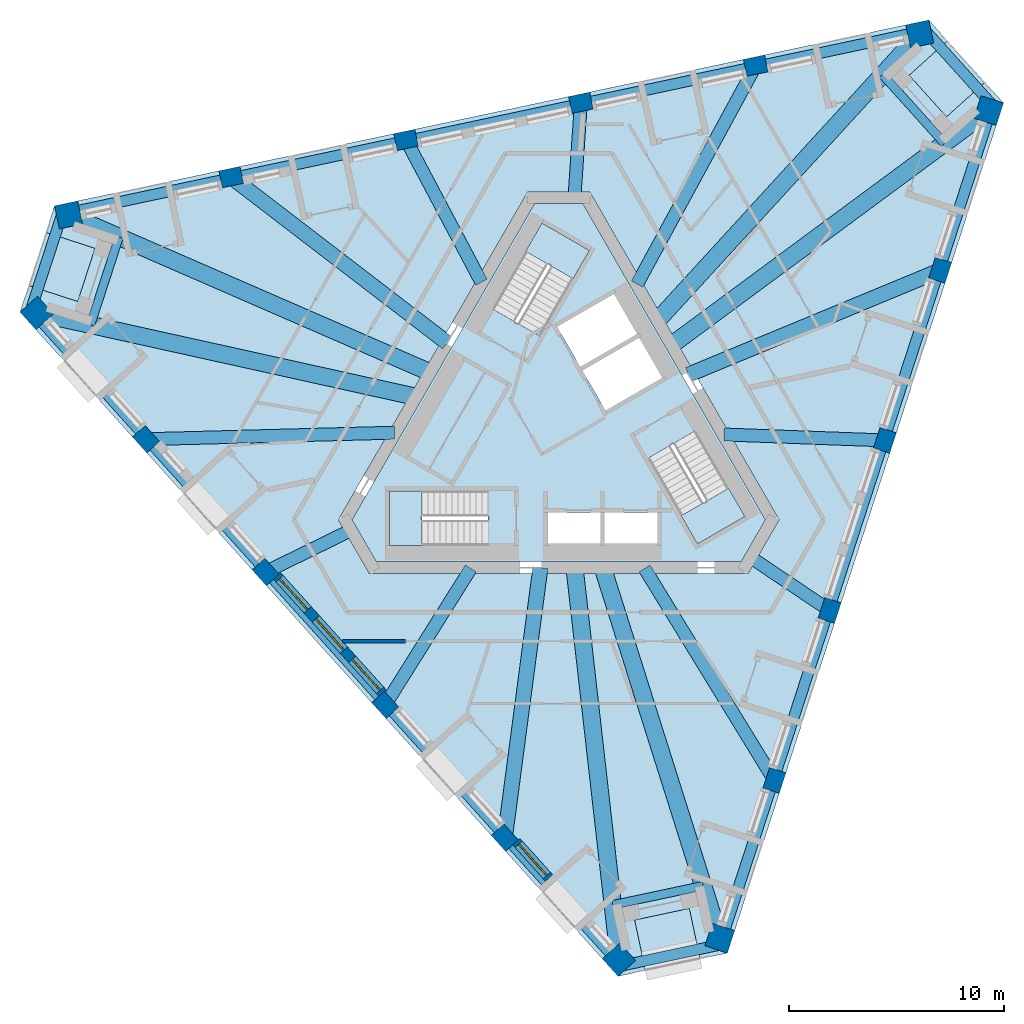
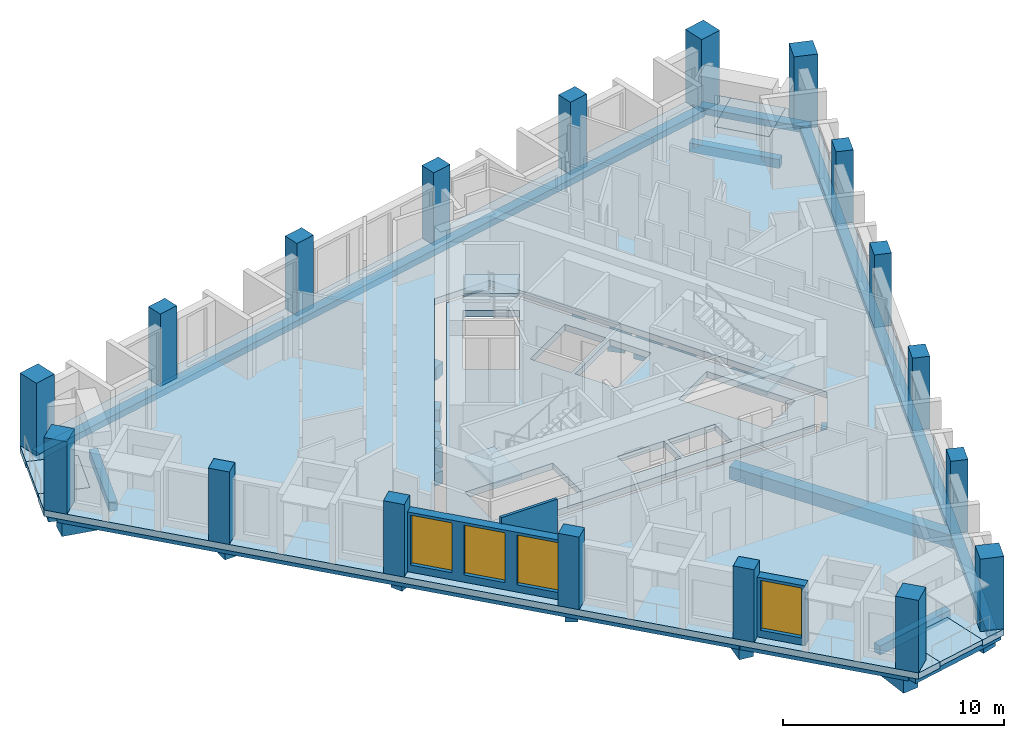
# One storey, part 1 of 12: 27 beams, 18 columns, 8 slabs, 4 windows, 3 walls, 4 openings, 3 elements without a shape of their own.
"""IFC4 building model written with IfcOpenShell, lengths in metres."""

from ifc_helpers import new_model, si_unit, direction, frame, frame_2d, origin, origin_2d, place, context, subcontext, project, spatial, polyline, rectangle, outline, extrude, material, layer, layer_set, material_profile, profile_set, type_object, element, fill, aggregate, save


model = new_model("IFC4")

# Units and contexts
model_context = context("Model", 3, precision=1e-05, world=origin(), true_north=direction((0.0, 1.0)))
body_context = subcontext(model_context, "Body", "Model", "MODEL_VIEW")
ifc_project = project(units=[si_unit("LENGTHUNIT", "METRE"), si_unit("AREAUNIT", "SQUARE_METRE"), si_unit("VOLUMEUNIT", "CUBIC_METRE"), si_unit("PLANEANGLEUNIT", "RADIAN"), si_unit("MASSUNIT", "GRAM", prefix="KILO")], contexts=[model_context])

# Site, building, storey
site_placement = place(None, origin())
site = spatial("IfcSite", under=ifc_project, at=site_placement, CompositionType="ELEMENT")
building_placement = place(site_placement, origin())
building = spatial("IfcBuilding", under=site, at=building_placement, Name="Tramontana Tower", CompositionType="ELEMENT")
storey_placement = place(building_placement, frame((0.0, 0.0, 344.39990234375)))
storey = spatial("IfcBuildingStorey", under=building, at=storey_placement, Name="L79", CompositionType="ELEMENT", Elevation=344.39990234375)

# Columns
ifc_material_1 = material(Name="Concrete 55 MPa", Category="concrete")
ifc_material_profile_1 = material_profile(ifc_material_1, rectangle(XDim=1.10009765625, YDim=1.10009765625, at=origin_2d()), Name="Mega column 1100X1100 55 MPa")
ifc_profile_set_1 = profile_set([ifc_material_profile_1], Name="Concrete 55 MPa")
column_type_1 = type_object("IfcColumnType", Name="Mega column 1100X1100 55 MPa", PredefinedType="COLUMN", material=ifc_profile_set_1)
for number, where, z_axis, x_axis, name in (
    (1, (-24.278076171875, 5.368408203125, 0.0), (0.0, 0.0, 1.0), (0.669130606359, -0.743144825477, 0.0), "Mega column C8K1 L79"),
    (2, (2.80126953125, -24.706298828125, 0.0), (0.0, 0.0, 1.0), (0.669130606359, -0.743144825477, 0.0), "Mega column C8K2 L79"),
    (3, (7.489990234375, -23.70947265625, 0.0), (0.0, 0.0, 1.0), (0.309016994375, 0.951056516295, 0.0), "Mega column C8K3 L79"),
    (4, (19.99560546875, 14.779052734375, 0.0), (0.0, 0.0, 1.0), (0.309016994375, 0.951056516295, 0.0), "Mega column C8K4 L79"),
    (5, (16.7880859375, 18.34130859375, 0.0), (0.0, 0.0, 1.0), (-0.978147600734, -0.207911690818, 0.0), "Mega column C8K5 L79"),
    (6, (-22.796875, 9.92724609375, 0.0), (0.0, 0.0, 1.0), (-0.978147600734, -0.207911690818, 0.0), "Mega column C8K6 L79"),
):
    element("IfcColumn", number, at=place(storey_placement, frame(where, z_axis=z_axis, x_axis=x_axis)), inside=storey, type_object=column_type_1, Name=name, PredefinedType="COLUMN", context=body_context, shape_type="SweptSolid", body=[
        extrude(rectangle(XDim=1.10009765625, YDim=1.10009765625, at=origin_2d()), origin(), (0.0, 0.0, 1.0), 4.0),
    ])
ifc_material_2 = material(Name="Concrete 55 MPa", Category="concrete")
ifc_material_profile_2 = material_profile(ifc_material_2, rectangle(XDim=1.0, YDim=0.800048828125, at=origin_2d()), Name="Pier column 1000X800 55 MPa")
ifc_profile_set_2 = profile_set([ifc_material_profile_2], Name="Concrete 55 MPa")
column_type_2 = type_object("IfcColumnType", Name="Pier column 1000X800 55 MPa", PredefinedType="COLUMN", material=ifc_profile_set_2)
for number, where, z_axis, x_axis, name in (
    (7, (-19.194580078125, -0.501708984375, 0.0), (0.0, 0.0, 1.0), (0.669130606359, -0.743144825477, 0.0), "Pier column C8F01 L79"),
    (8, (-13.63134765625, -6.68017578125, 0.0), (0.0, 0.0, 1.0), (0.669130606359, -0.743144825477, 0.0), "Pier column C8F02 L79"),
    (9, (-8.068359375, -12.8583984375, 0.0), (0.0, 0.0, 1.0), (0.669130606359, -0.743144825477, 0.0), "Pier column C8F03 L79"),
    (10, (-2.50537109375, -19.036865234375, 0.0), (0.0, 0.0, 1.0), (0.669130606359, -0.743144825477, 0.0), "Pier column C8F04 L79"),
    (11, (10.03173828125, -16.3720703125, 0.0), (0.0, 0.0, 1.0), (0.309016994375, 0.951056516295, 0.0), "Pier column C8F05 L79"),
    (12, (12.600830078125, -8.465087890625, 0.0), (0.0, 0.0, 1.0), (0.309016994375, 0.951056516295, 0.0), "Pier column C8F06 L79"),
    (13, (15.169921875, -0.55810546875, 0.0), (0.0, 0.0, 1.0), (0.309016994375, 0.951056516295, 0.0), "Pier column C8F07 L79"),
    (14, (17.739013671875, 7.348876953125, 0.0), (0.0, 0.0, 1.0), (0.309016994375, 0.951056516295, 0.0), "Pier column C8F08 L79"),
    (15, (9.162841796875, 16.873779296875, 0.0), (0.0, 0.0, 1.0), (-0.978147600734, -0.207911690818, 0.0), "Pier column C8F09 L79"),
    (16, (1.030517578125, 15.145263671875, 0.0), (0.0, 0.0, 1.0), (-0.978147600734, -0.207911690818, 0.0), "Pier column C8F10 L79"),
    (17, (-7.1015625, 13.416748046875, 0.0), (0.0, 0.0, 1.0), (-0.978147600734, -0.207911690818, 0.0), "Pier column C8F11 L79"),
    (18, (-15.233642578125, 11.688232421875, 0.0), (0.0, 0.0, 1.0), (-0.978147600734, -0.207911690818, 0.0), "Pier column C8F12 L79"),
):
    element("IfcColumn", number, at=place(storey_placement, frame(where, z_axis=z_axis, x_axis=x_axis)), inside=storey, type_object=column_type_2, Name=name, PredefinedType="COLUMN", context=body_context, shape_type="SweptSolid", body=[
        extrude(rectangle(XDim=1.0, YDim=0.800048828125, at=origin_2d()), origin(), (0.0, 0.0, 1.0), 4.0),
    ])

# Beams
ifc_material_3 = material(Name="Concrete 40 MPa", Category="concrete")
ifc_material_profile_3 = material_profile(ifc_material_3, rectangle(XDim=0.5, YDim=0.35009765625, at=origin_2d()), Name="RC EDGE BEAM 500X350 40 MPa")
ifc_profile_set_3 = profile_set([ifc_material_profile_3], Name="Concrete 40 MPa")
beam_type_1 = type_object("IfcBeamType", Name="RC EDGE BEAM 500X350 40 MPa", PredefinedType="SPANDREL", material=ifc_profile_set_3)
for number, where, z_axis, x_axis, name in (
    (19, (-24.352294921875, 5.301513671875, -0.52490234375), (0.669126699639, -0.743148343086, 0.0), (0.743148343086, 0.669126699639, 0.0), "Spandrel beam S0 L79"),
    (20, (7.5849609375, -23.740478515625, -0.52490234375), (0.309021003975, 0.951055213488, 0.0), (-0.951055213488, 0.309021003975, 0.0), "Spandrel beam S1 L79"),
):
    element("IfcBeam", number, at=place(storey_placement, frame(where, z_axis=z_axis, x_axis=x_axis)), inside=storey, type_object=beam_type_1, Name=name, PredefinedType="SPANDREL", context=body_context, shape_type="SweptSolid", body=[
        extrude(rectangle(XDim=0.5, YDim=0.35009765625, at=origin_2d()), origin(), (0.0, 0.0, 1.0), 40.46923828125),
    ])
beam_1_placement = place(storey_placement, frame((16.767333984375, 18.439208984375, -0.52490234375), z_axis=(-0.978146276815, -0.20791791927, 0.0), x_axis=(0.20791791927, -0.978146276815, 0.0)))
element("IfcBeam", 21, at=beam_1_placement, inside=storey, type_object=beam_type_1, Name="Spandrel beam S2 L79", PredefinedType="SPANDREL", context=body_context, shape_type="SweptSolid", body=[
    extrude(rectangle(XDim=0.5, YDim=0.35009765625, at=origin_2d()), origin(), (0.0, 0.0, 1.0), 40.469482421875),
])
beam_2_placement = place(storey_placement, frame((-23.02099609375, 10.2119140625, -0.52490234375), z_axis=(-0.309015953557, -0.951056854477, 0.0), x_axis=(0.951056854477, -0.309015953557, 0.0)))
element("IfcBeam", 22, at=beam_2_placement, inside=storey, type_object=beam_type_1, Name="Spandrel beam K0 L79", PredefinedType="SPANDREL", context=body_context, shape_type="SweptSolid", body=[
    extrude(rectangle(XDim=0.5, YDim=0.35009765625, at=origin_2d()), origin(), (0.0, 0.0, 1.0), 5.1962890625),
])
for number, where, z_axis, x_axis, name in (
    (23, (2.6669921875, -25.042724609375, -0.52490234375), (0.97814762463, 0.207911578393, 0.0), (-0.207911578393, 0.97814762463, 0.0), "Spandrel beam K1 L79"),
    (24, (20.354248046875, 14.8310546875, -0.52490234375), (-0.66916199362, 0.74311656306, 0.0), (-0.74311656306, -0.66916199362, 0.0), "Spandrel beam K2 L79"),
):
    element("IfcBeam", number, at=place(storey_placement, frame(where, z_axis=z_axis, x_axis=x_axis)), inside=storey, type_object=beam_type_1, Name=name, PredefinedType="SPANDREL", context=body_context, shape_type="SweptSolid", body=[
        extrude(rectangle(XDim=0.5, YDim=0.35009765625, at=origin_2d()), origin(), (0.0, 0.0, 1.0), 5.196044921875),
    ])
ifc_material_4 = material(Name="Concrete 40 MPa", Category="concrete")
ifc_material_profile_4 = material_profile(ifc_material_4, rectangle(XDim=0.60009765625, YDim=0.699951171875, at=origin_2d()), Name="RC GIRDER 600X700 40 MPa")
ifc_profile_set_4 = profile_set([ifc_material_profile_4], Name="Concrete 40 MPa")
beam_type_2 = type_object("IfcBeamType", Name="RC GIRDER 600X700 40 MPa", PredefinedType="BEAM", material=ifc_profile_set_4)
beam_3_placement = place(storey_placement, frame((-19.194580078125, -0.501708984375, -0.699951171875), z_axis=(0.999658682192, 0.026125066864, 0.0), x_axis=(-0.026125066864, 0.999658682192, 0.0)))
element("IfcBeam", 25, at=beam_3_placement, inside=storey, type_object=beam_type_2, Name="Radial girder C8F01 L79", PredefinedType="BEAM", context=body_context, shape_type="SweptSolid", body=[
    extrude(rectangle(XDim=0.60009765625, YDim=0.699951171875, at=origin_2d()), origin(), (0.0, 0.0, 1.0), 11.559814453125),
])
beam_4_placement = place(storey_placement, frame((-13.63134765625, -6.68017578125, -0.699951171875), z_axis=(0.897959158445, 0.440078799496, 0.0), x_axis=(-0.440078799496, 0.897959158445, 0.0)))
element("IfcBeam", 26, at=beam_4_placement, inside=storey, type_object=beam_type_2, Name="Radial girder C8F02 L79", PredefinedType="BEAM", context=body_context, shape_type="SweptSolid", body=[
    extrude(rectangle(XDim=0.60009765625, YDim=0.699951171875, at=origin_2d()), origin(), (0.0, 0.0, 1.0), 4.4296875),
])
beam_5_placement = place(storey_placement, frame((-8.068359375, -12.8583984375, -0.699951171875), z_axis=(0.531504835363, 0.847055257929, 0.0), x_axis=(-0.847055257929, 0.531504835363, 0.0)))
element("IfcBeam", 27, at=beam_5_placement, inside=storey, type_object=beam_type_2, Name="Radial girder C8F03 L79", PredefinedType="BEAM", context=body_context, shape_type="SweptSolid", body=[
    extrude(rectangle(XDim=0.60009765625, YDim=0.699951171875, at=origin_2d()), origin(), (0.0, 0.0, 1.0), 7.486328125),
])
beam_6_placement = place(storey_placement, frame((10.03173828125, -16.3720703125, -0.699951171875), z_axis=(-0.522458548495, 0.852664685034, 0.0), x_axis=(-0.852664685034, -0.522458548495, 0.0)))
element("IfcBeam", 28, at=beam_6_placement, inside=storey, type_object=beam_type_2, Name="Radial girder C8F05 L79", PredefinedType="BEAM", context=body_context, shape_type="SweptSolid", body=[
    extrude(rectangle(XDim=0.60009765625, YDim=0.699951171875, at=origin_2d()), origin(), (0.0, 0.0, 1.0), 11.559814453125),
])
beam_7_placement = place(storey_placement, frame((12.600830078125, -8.465087890625, -0.699951171875), z_axis=(-0.830077902204, 0.557647448011, 0.0), x_axis=(-0.557647448011, -0.830077902204, 0.0)))
element("IfcBeam", 29, at=beam_7_placement, inside=storey, type_object=beam_type_2, Name="Radial girder C8F06 L79", PredefinedType="BEAM", context=body_context, shape_type="SweptSolid", body=[
    extrude(rectangle(XDim=0.60009765625, YDim=0.699951171875, at=origin_2d()), origin(), (0.0, 0.0, 1.0), 4.4296875),
])
beam_8_placement = place(storey_placement, frame((15.169921875, -0.55810546875, -0.699951171875), z_axis=(-0.999324360611, 0.036753534393, 0.0), x_axis=(-0.036753534393, -0.999324360611, 0.0)))
element("IfcBeam", 30, at=beam_8_placement, inside=storey, type_object=beam_type_2, Name="Radial girder C8F07 L79", PredefinedType="BEAM", context=body_context, shape_type="SweptSolid", body=[
    extrude(rectangle(XDim=0.60009765625, YDim=0.699951171875, at=origin_2d()), origin(), (0.0, 0.0, 1.0), 7.486328125),
])
beam_9_placement = place(storey_placement, frame((9.16259765625, 16.873779296875, -0.699951171875), z_axis=(-0.477185075818, -0.87880282397, 0.0), x_axis=(0.87880282397, -0.477185075818, 0.0)))
element("IfcBeam", 31, at=beam_9_placement, inside=storey, type_object=beam_type_2, Name="Radial girder C8F09 L79", PredefinedType="BEAM", context=body_context, shape_type="SweptSolid", body=[
    extrude(rectangle(XDim=0.60009765625, YDim=0.699951171875, at=origin_2d()), origin(), (0.0, 0.0, 1.0), 11.559814453125),
])
beam_10_placement = place(storey_placement, frame((1.030517578125, 15.145263671875, -0.699951171875), z_axis=(-0.067897965918, -0.997692270304, 0.0), x_axis=(0.997692270304, -0.067897965918, 0.0)))
element("IfcBeam", 32, at=beam_10_placement, inside=storey, type_object=beam_type_2, Name="Radial girder C8F10 L79", PredefinedType="BEAM", context=body_context, shape_type="SweptSolid", body=[
    extrude(rectangle(XDim=0.60009765625, YDim=0.699951171875, at=origin_2d()), origin(), (0.0, 0.0, 1.0), 4.429931640625),
])
beam_11_placement = place(storey_placement, frame((-7.1015625, 13.416748046875, -0.699951171875), z_axis=(0.467808305742, -0.883829954843, 0.0), x_axis=(0.883829954843, 0.467808305742, 0.0)))
element("IfcBeam", 33, at=beam_11_placement, inside=storey, type_object=beam_type_2, Name="Radial girder C8F11 L79", PredefinedType="BEAM", context=body_context, shape_type="SweptSolid", body=[
    extrude(rectangle(XDim=0.60009765625, YDim=0.699951171875, at=origin_2d()), origin(), (0.0, 0.0, 1.0), 7.486328125),
])
ifc_material_5 = material(Name="Concrete 40 MPa", Category="concrete")
ifc_material_profile_5 = material_profile(ifc_material_5, rectangle(XDim=0.699951171875, YDim=0.89990234375, at=origin_2d()), Name="RC GIRDER 700X900 40 MPa")
ifc_profile_set_5 = profile_set([ifc_material_profile_5], Name="Concrete 40 MPa")
beam_type_3 = type_object("IfcBeamType", Name="RC GIRDER 700X900 40 MPa", PredefinedType="BEAM", material=ifc_profile_set_5)
beam_12_placement = place(storey_placement, frame((-2.50537109375, -19.036865234375, -0.7998046875), z_axis=(0.130493398369, 0.991449178214, 0.0), x_axis=(-0.991449178214, 0.130493398369, 0.0)))
element("IfcBeam", 34, at=beam_12_placement, inside=storey, type_object=beam_type_3, Name="Radial girder C8F04 L79", PredefinedType="BEAM", context=body_context, shape_type="SweptSolid", body=[
    extrude(rectangle(XDim=0.699951171875, YDim=0.89990234375, at=origin_2d()), origin(), (0.0, 0.0, 1.0), 12.66796875),
])
beam_13_placement = place(storey_placement, frame((17.739013671875, 7.348876953125, -0.7998046875), z_axis=(-0.923857326556, -0.382737037885, 0.0), x_axis=(0.382737037885, -0.923857326556, 0.0)))
element("IfcBeam", 35, at=beam_13_placement, inside=storey, type_object=beam_type_3, Name="Radial girder C8F08 L79", PredefinedType="BEAM", context=body_context, shape_type="SweptSolid", body=[
    extrude(rectangle(XDim=0.699951171875, YDim=0.89990234375, at=origin_2d()), origin(), (0.0, 0.0, 1.0), 12.667724609375),
])
beam_14_placement = place(storey_placement, frame((-15.23388671875, 11.68798828125, -0.7998046875), z_axis=(0.793386383047, -0.608718364431, 0.0), x_axis=(0.608718364431, 0.793386383047, 0.0)))
element("IfcBeam", 36, at=beam_14_placement, inside=storey, type_object=beam_type_3, Name="Radial girder C8F12 L79", PredefinedType="BEAM", context=body_context, shape_type="SweptSolid", body=[
    extrude(rectangle(XDim=0.699951171875, YDim=0.89990234375, at=origin_2d()), origin(), (0.0, 0.0, 1.0), 12.66796875),
])
ifc_material_6 = material(Name="Concrete 40 MPa", Category="concrete")
ifc_material_profile_6 = material_profile(ifc_material_6, rectangle(XDim=0.800048828125, YDim=1.10009765625, at=origin_2d()), Name="RC GIRDER 800X1100 40 MPa")
ifc_profile_set_6 = profile_set([ifc_material_profile_6], Name="Concrete 40 MPa")
beam_type_4 = type_object("IfcBeamType", Name="RC GIRDER 800X1100 40 MPa", PredefinedType="BEAM", material=ifc_profile_set_6)
beam_15_placement = place(storey_placement, frame((-24.278076171875, 5.368408203125, -0.89990234375), z_axis=(0.976414256624, -0.215905533653, 0.0), x_axis=(0.215905533653, 0.976414256624, 0.0)))
element("IfcBeam", 37, at=beam_15_placement, inside=storey, type_object=beam_type_4, Name="Radial girder C8K1 L79", PredefinedType="BEAM", context=body_context, shape_type="SweptSolid", body=[
    extrude(rectangle(XDim=0.800048828125, YDim=1.10009765625, at=origin_2d()), origin(), (0.0, 0.0, 1.0), 18.060791015625),
])
beam_16_placement = place(storey_placement, frame((2.80126953125, -24.706298828125, -0.89990234375), z_axis=(-0.112660068087, 0.993633588934, 0.0), x_axis=(-0.993633588934, -0.112660068087, 0.0)))
element("IfcBeam", 38, at=beam_16_placement, inside=storey, type_object=beam_type_4, Name="Radial girder C8K2 L79", PredefinedType="BEAM", context=body_context, shape_type="SweptSolid", body=[
    extrude(rectangle(XDim=0.800048828125, YDim=1.10009765625, at=origin_2d()), origin(), (0.0, 0.0, 1.0), 18.34619140625),
])
beam_17_placement = place(storey_placement, frame((7.489990234375, -23.709716796875, -0.89990234375), z_axis=(-0.301228407795, 0.953552015538, 0.0), x_axis=(-0.953552015538, -0.301228407795, 0.0)))
element("IfcBeam", 39, at=beam_17_placement, inside=storey, type_object=beam_type_4, Name="Radial girder C8K3 L79", PredefinedType="BEAM", context=body_context, shape_type="SweptSolid", body=[
    extrude(rectangle(XDim=0.800048828125, YDim=1.10009765625, at=origin_2d()), origin(), (0.0, 0.0, 1.0), 18.060791015625),
])
beam_18_placement = place(storey_placement, frame((19.99560546875, 14.779052734375, -0.89990234375), z_axis=(-0.804178630494, -0.594387693562, 0.0), x_axis=(0.594387693562, -0.804178630494, 0.0)))
element("IfcBeam", 40, at=beam_18_placement, inside=storey, type_object=beam_type_4, Name="Radial girder C8K4 L79", PredefinedType="BEAM", context=body_context, shape_type="SweptSolid", body=[
    extrude(rectangle(XDim=0.800048828125, YDim=1.10009765625, at=origin_2d()), origin(), (0.0, 0.0, 1.0), 18.34619140625),
])
beam_19_placement = place(storey_placement, frame((16.7880859375, 18.34130859375, -0.89990234375), z_axis=(-0.675183941423, -0.737649405371, 0.0), x_axis=(0.737649405371, -0.675183941423, 0.0)))
element("IfcBeam", 41, at=beam_19_placement, inside=storey, type_object=beam_type_4, Name="Radial girder C8K5 L79", PredefinedType="BEAM", context=body_context, shape_type="SweptSolid", body=[
    extrude(rectangle(XDim=0.800048828125, YDim=1.10009765625, at=origin_2d()), origin(), (0.0, 0.0, 1.0), 18.060791015625),
])
beam_20_placement = place(storey_placement, frame((-22.796875, 9.92724609375, -0.89990234375), z_axis=(0.916837391717, -0.399260813441, 0.0), x_axis=(0.399260813441, 0.916837391717, 0.0)))
element("IfcBeam", 42, at=beam_20_placement, inside=storey, type_object=beam_type_4, Name="Radial girder C8K6 L79", PredefinedType="BEAM", context=body_context, shape_type="SweptSolid", body=[
    extrude(rectangle(XDim=0.800048828125, YDim=1.10009765625, at=origin_2d()), origin(), (0.0, 0.0, 1.0), 18.34619140625),
])
ifc_material_7 = material(Name="Concrete 40 MPa", Category="concrete")
ifc_material_profile_7 = material_profile(ifc_material_7, rectangle(XDim=0.39990234375, YDim=0.5, at=origin_2d()), Name="RC TRIM BEAM 400X500 40 MPa")
ifc_profile_set_7 = profile_set([ifc_material_profile_7], Name="Concrete 40 MPa")
beam_type_5 = type_object("IfcBeamType", Name="RC TRIM BEAM 400X500 40 MPa", PredefinedType="JOIST", material=ifc_profile_set_7)
for number, where, z_axis, x_axis, name in (
    (43, (-20.44921875, 8.90478515625, -0.599853515625), (-0.308996198876, -0.951063272911, 0.0), (0.951063272911, -0.308996198876, 0.0), "Trimmer beam K0 L79"),
    (44, (2.5126953125, -22.161865234375, -0.599853515625), (0.978144273721, 0.207927342565, 0.0), (-0.207927342565, 0.978144273721, 0.0), "Trimmer beam K1 L79"),
    (45, (17.936279296875, 13.257080078125, -0.599853515625), (-0.669146657008, 0.743130373094, 0.0), (-0.743130373094, -0.669146657008, 0.0), "Trimmer beam K2 L79"),
):
    element("IfcBeam", number, at=place(storey_placement, frame(where, z_axis=z_axis, x_axis=x_axis)), inside=storey, type_object=beam_type_5, Name=name, PredefinedType="JOIST", context=body_context, shape_type="SweptSolid", body=[
        extrude(rectangle(XDim=0.39990234375, YDim=0.5, at=origin_2d()), origin(), (0.0, 0.0, 1.0), 4.2998046875),
    ])

# Slabs
ifc_material_8 = material(Name="Precast concrete 50 MPa", Category="concrete")
ifc_layer_1 = layer(ifc_material_8, 0.25)
ifc_layer_set_1 = layer_set([ifc_layer_1], Name="LT1 Loggia floor tray 250")
slab_type_1 = type_object("IfcSlabType", Name="LT1 Loggia floor tray 250", PredefinedType="FLOOR", material=ifc_layer_set_1)
slab_1_placement = place(storey_placement, frame((0.0, 0.0, -0.25)))
element("IfcSlab", 46, at=slab_1_placement, inside=storey, type_object=slab_type_1, Name="Corner loggia floor L79 K80", PredefinedType="FLOOR", context=body_context, shape_type="SweptSolid", body=[
    extrude(outline(polyline([(-23.85009765625, 9.1162109375), (-21.567626953125, 8.374755859375), (-22.37109375, 5.90185546875), (-24.653564453125, 6.6435546875), (-23.85009765625, 9.1162109375)])), origin(), (0.0, 0.0, 1.0), 0.25),
])
slab_2_placement = place(storey_placement, frame((0.0, 0.0, -0.25)))
element("IfcSlab", 47, at=slab_2_placement, inside=storey, type_object=slab_type_1, Name="Corner loggia floor L79 K81", PredefinedType="FLOOR", context=body_context, shape_type="SweptSolid", body=[
    extrude(outline(polyline([(4.0302734375, -25.213134765625), (3.53125, -22.865478515625), (6.074462890625, -22.324951171875), (6.5732421875, -24.67236328125), (4.0302734375, -25.213134765625)])), origin(), (0.0, 0.0, 1.0), 0.25),
])
slab_3_placement = place(storey_placement, frame((0.0, 0.0, -0.25)))
element("IfcSlab", 48, at=slab_3_placement, inside=storey, type_object=slab_type_1, Name="Corner loggia floor L79 K82", PredefinedType="FLOOR", context=body_context, shape_type="SweptSolid", body=[
    extrude(outline(polyline([(19.820068359375, 16.0966796875), (18.03662109375, 14.49072265625), (16.296875, 16.423095703125), (18.080322265625, 18.02880859375), (19.820068359375, 16.0966796875)])), origin(), (0.0, 0.0, 1.0), 0.25),
])
ifc_material_9 = material(Name="Concrete 40 MPa", Category="concrete")
ifc_layer_2 = layer(ifc_material_9, 0.35009765625)
ifc_layer_set_2 = layer_set([ifc_layer_2], Name="PT FLAT SLAB 350 40 MPa")
slab_type_2 = type_object("IfcSlabType", Name="PT FLAT SLAB 350 40 MPa", PredefinedType="FLOOR", material=ifc_layer_set_2)
slab_4_placement = place(storey_placement, frame((0.0, 0.0, -0.349853515625)))
element("IfcSlab", 49, at=slab_4_placement, inside=storey, type_object=slab_type_2, Name="Floor slab L79", PredefinedType="FLOOR", context=body_context, shape_type="SweptSolid", body=[
    extrude(outline(polyline([(18.080322265625, 18.02880859375), (16.296875, 16.423095703125), (18.03662109375, 14.49072265625), (19.820068359375, 16.0966796875), (20.688720703125, 15.132080078125), (7.843017578125, -24.402587890625), (6.5732421875, -24.672607421875), (6.074462890625, -22.324951171875), (3.53125, -22.865478515625), (4.0302734375, -25.212890625), (2.760498046875, -25.48291015625), (-25.0546875, 5.408935546875), (-24.65380859375, 6.6435546875), (-22.37109375, 5.90185546875), (-21.567626953125, 8.374755859375), (-23.85009765625, 9.1162109375), (-23.44921875, 10.350830078125), (17.211669921875, 18.99365234375), (18.080322265625, 18.02880859375)]), holes=[polyline([(-10.248046875, -4.25), (-8.8046875, -6.75), (8.8046875, -6.75), (10.248046875, -4.25), (1.443359375, 11.0), (-1.443359375, 11.0), (-10.248046875, -4.25)])]), origin(), (0.0, 0.0, 1.0), 0.349853515625),
])
slab_5_placement = place(storey_placement, frame((0.0, 0.0, -0.349853515625)))
element("IfcSlab", 50, at=slab_5_placement, inside=storey, type_object=slab_type_2, Name="Core floor slab L79", PredefinedType="FLOOR", context=body_context, shape_type="SweptSolid", body=[
    extrude(outline(polyline([(9.61279296875, -4.25), (8.487060546875, -6.199951171875), (-8.487060546875, -6.199951171875), (-9.61279296875, -4.25), (-1.125732421875, 10.449951171875), (1.125732421875, 10.449951171875), (9.61279296875, -4.25)]), holes=[polyline([(8.659912109375, -4.099365234375), (6.35986328125, -0.115478515625), (4.151611328125, -1.390625), (6.451416015625, -5.374267578125), (8.659912109375, -4.099365234375)]), polyline([(3.829833984375, 4.2666015625), (1.101806640625, 2.69140625), (2.177001953125, 0.82958984375), (4.90478515625, 2.404541015625), (3.829833984375, 4.2666015625)]), polyline([(4.590087890625, -3.89990234375), (2.139892578125, -3.89990234375), (2.139892578125, -5.449951171875), (4.590087890625, -5.449951171875), (4.590087890625, -3.89990234375)]), polyline([(2.65478515625, 6.3017578125), (-0.072998046875, 4.726806640625), (1.001953125, 2.86474609375), (3.729736328125, 4.439697265625), (2.65478515625, 6.3017578125)]), polyline([(1.93994140625, -5.449951171875), (1.93994140625, -3.89990234375), (-0.510009765625, -3.89990234375), (-0.510009765625, -5.449951171875), (1.93994140625, -5.449951171875)]), polyline([(-0.77978515625, 9.54931640625), (-3.079833984375, 5.565673828125), (-0.87158203125, 4.29052734375), (1.428466796875, 8.2744140625), (-0.77978515625, 9.54931640625)]), polyline([(-7.8798828125, -5.449951171875), (-3.280029296875, -5.449951171875), (-3.280029296875, -2.89990234375), (-7.8798828125, -2.89990234375), (-7.8798828125, -5.449951171875)])]), origin(), (0.0, 0.0, 1.0), 0.349853515625),
])

# Stair, slab
ifc_material_10 = material(Name="Concrete 40 MPa", Category="concrete")
stair_type = type_object("IfcStairType", Name="EXIT STAIR 24 RISERS", PredefinedType="HALF_TURN_STAIR", material=ifc_material_10)
stair_1_placement = place(storey_placement, origin())
stair_1 = element("IfcStair", 51, at=stair_1_placement, inside=storey, type_object=stair_type, Name="L79 Exit stair ST1", PredefinedType="HALF_TURN_STAIR")
ifc_material_11 = material(Name="Concrete 40 MPa", Category="concrete")
ifc_layer_3 = layer(ifc_material_11, 0.199951171875)
ifc_layer_set_3 = layer_set([ifc_layer_3], Name="STAIR LANDING 200")
slab_type_3 = type_object("IfcSlabType", Name="STAIR LANDING 200", PredefinedType="LANDING", material=ifc_layer_set_3)
slab_6_placement = place(storey_placement, frame((0.0, 0.0, 1.800048828125)))
slab_6 = element("IfcSlab", 52, at=slab_6_placement, type_object=slab_type_3, Name="ST1 landing 1", PredefinedType="LANDING", context=body_context, shape_type="SweptSolid", body=[
    extrude(outline(polyline([(0.66845703125, 6.9580078125), (1.428466796875, 8.274169921875), (-0.77978515625, 9.54931640625), (-1.539794921875, 8.23291015625), (0.66845703125, 6.9580078125)])), origin(), (0.0, 0.0, 1.0), 0.199951171875),
])
aggregate(stair_1, [slab_6])

stair_2_placement = place(storey_placement, origin())
stair_2 = element("IfcStair", 53, at=stair_2_placement, inside=storey, type_object=stair_type, Name="L79 Exit stair ST2", PredefinedType="HALF_TURN_STAIR")
slab_7_placement = place(storey_placement, frame((0.0, 0.0, 1.800048828125)))
slab_7 = element("IfcSlab", 54, at=slab_7_placement, type_object=slab_type_3, Name="ST2 landing 1", PredefinedType="LANDING", context=body_context, shape_type="SweptSolid", body=[
    extrude(outline(polyline([(-6.360107421875, -2.89990234375), (-7.8798828125, -2.89990234375), (-7.8798828125, -5.449951171875), (-6.360107421875, -5.449951171875), (-6.360107421875, -2.89990234375)])), origin(), (0.0, 0.0, 1.0), 0.199951171875),
])
aggregate(stair_2, [slab_7])

stair_3_placement = place(storey_placement, origin())
stair_3 = element("IfcStair", 55, at=stair_3_placement, inside=storey, type_object=stair_type, Name="L79 Exit stair ST3", PredefinedType="HALF_TURN_STAIR")
slab_8_placement = place(storey_placement, frame((0.0, 0.0, 1.800048828125)))
slab_8 = element("IfcSlab", 56, at=slab_8_placement, type_object=slab_type_3, Name="ST3 landing 1", PredefinedType="LANDING", context=body_context, shape_type="SweptSolid", body=[
    extrude(outline(polyline([(5.69140625, -4.057861328125), (6.451416015625, -5.374267578125), (8.659912109375, -4.099365234375), (7.89990234375, -2.782958984375), (5.69140625, -4.057861328125)])), origin(), (0.0, 0.0, 1.0), 0.199951171875),
])
aggregate(stair_3, [slab_8])

# Wall, openings, windows
ifc_material_12 = material(Name="Precast concrete 60 MPa", Category="concrete")
ifc_layer_4 = layer(ifc_material_12, 0.449951171875)
ifc_layer_set_4 = layer_set([ifc_layer_4], Name="Precast concrete 60 MPa, 450 mm")
wall_type_1 = type_object("IfcWallType", Name="EW1 Stone-faced precast wall 450", PredefinedType="SOLIDWALL", material=ifc_layer_set_4)
wall_1_placement = place(storey_placement, frame((-13.092529296875, -6.86767578125, 0.0), z_axis=(0.0, 0.0, 1.0), x_axis=(0.669136224502, -0.74313976684, 0.0)))
wall_1 = element("IfcWall", 57, at=wall_1_placement, inside=storey, type_object=wall_type_1, Name="External wall L79 face 0 bay 3", PredefinedType="SOLIDWALL", context=body_context, shape_type="SweptSolid", body=[
    extrude(rectangle(XDim=7.31396484375, YDim=0.449951171875, at=frame_2d((3.656982421875, 0.0))), origin(), (0.0, 0.0, 1.0), 3.300048828125),
])
opening_1_placement = place(wall_1_placement, frame((0.16064453125, 0.0, 0.39990234375)))
opening_1 = element("IfcOpeningElement", 58, at=opening_1_placement, cuts=wall_1, Name="Opening M3", PredefinedType="OPENING", context=body_context, shape_type="SweptSolid", body=[
    extrude(rectangle(XDim=1.949951171875, YDim=2.75, at=frame_2d((0.97509765625, 1.375))), frame((0.0, 0.23486328125, 0.0), z_axis=(0.0, -1.0, 0.0), x_axis=(1.0, 0.0, 0.0)), (0.0, 0.0, 1.0), 0.469970703125),
])
opening_2_placement = place(wall_1_placement, frame((2.681884765625, 0.0, 0.39990234375)))
opening_2 = element("IfcOpeningElement", 59, at=opening_2_placement, cuts=wall_1, Name="Opening M3", PredefinedType="OPENING", context=body_context, shape_type="SweptSolid", body=[
    extrude(rectangle(XDim=1.949951171875, YDim=2.75, at=frame_2d((0.97509765625, 1.375))), frame((0.0, 0.23486328125, 0.0), z_axis=(0.0, -1.0, 0.0), x_axis=(1.0, 0.0, 0.0)), (0.0, 0.0, 1.0), 0.469970703125),
])
opening_3_placement = place(wall_1_placement, frame((5.203125, 0.0, 0.39990234375)))
opening_3 = element("IfcOpeningElement", 60, at=opening_3_placement, cuts=wall_1, Name="Opening M3", PredefinedType="OPENING", context=body_context, shape_type="SweptSolid", body=[
    extrude(rectangle(XDim=1.949951171875, YDim=2.75, at=frame_2d((0.97509765625, 1.375))), frame((0.0, 0.23486328125, 0.0), z_axis=(0.0, -1.0, 0.0), x_axis=(1.0, 0.0, 0.0)), (0.0, 0.0, 1.0), 0.469970703125),
])
ifc_material_13 = material(Name="Aluminum frame, double glazing unit", Category="aluminium")
window_type = type_object("IfcWindowType", Name="M3 Window 1.95 x 2.75", PartitioningType="SINGLE_PANEL", PredefinedType="WINDOW", material=ifc_material_13)
window_1_placement = place(opening_1_placement, origin())
window_1 = element("IfcWindow", 61, at=window_1_placement, inside=storey, type_object=window_type, Name="Window M3 L79 face 0 module 7", OverallHeight=2.75, OverallWidth=1.949951171875, PartitioningType="SINGLE_PANEL", PredefinedType="WINDOW", context=body_context, shape_type="SweptSolid", body=[
    extrude(rectangle(XDim=1.949951171875, YDim=2.75, at=frame_2d((0.97509765625, 1.375))), frame((0.0, 0.030029296875, 0.0), z_axis=(0.0, -1.0, 0.0), x_axis=(1.0, 0.0, 0.0)), (0.0, 0.0, 1.0), 0.06005859375),
])
fill(opening_1, window_1)
window_2_placement = place(opening_2_placement, origin())
window_2 = element("IfcWindow", 62, at=window_2_placement, inside=storey, type_object=window_type, Name="Window M3 L79 face 0 module 8", OverallHeight=2.75, OverallWidth=1.949951171875, PartitioningType="SINGLE_PANEL", PredefinedType="WINDOW", context=body_context, shape_type="SweptSolid", body=[
    extrude(rectangle(XDim=1.949951171875, YDim=2.75, at=frame_2d((0.97509765625, 1.375))), frame((0.0, 0.030029296875, 0.0), z_axis=(0.0, -1.0, 0.0), x_axis=(1.0, 0.0, 0.0)), (0.0, 0.0, 1.0), 0.06005859375),
])
fill(opening_2, window_2)
window_3_placement = place(opening_3_placement, origin())
window_3 = element("IfcWindow", 63, at=window_3_placement, inside=storey, type_object=window_type, Name="Window M3 L79 face 0 module 9", OverallHeight=2.75, OverallWidth=1.949951171875, PartitioningType="SINGLE_PANEL", PredefinedType="WINDOW", context=body_context, shape_type="SweptSolid", body=[
    extrude(rectangle(XDim=1.949951171875, YDim=2.75, at=frame_2d((0.97509765625, 1.375))), frame((0.0, 0.030029296875, 0.0), z_axis=(0.0, -1.0, 0.0), x_axis=(1.0, 0.0, 0.0)), (0.0, 0.0, 1.0), 0.06005859375),
])
fill(opening_3, window_3)

# Wall, opening, window
wall_2_placement = place(storey_placement, frame((-1.96630859375, -19.224365234375, 0.0), z_axis=(0.0, 0.0, 1.0), x_axis=(0.669107243666, -0.743165860676, 0.0)))
wall_2 = element("IfcWall", 64, at=wall_2_placement, inside=storey, type_object=wall_type_1, Name="External wall L79 face 0 bay 5", PredefinedType="SOLIDWALL", context=body_context, shape_type="SweptSolid", body=[
    extrude(rectangle(XDim=2.271240234375, YDim=0.449951171875, at=frame_2d((1.1357421875, 0.0))), origin(), (0.0, 0.0, 1.0), 3.300048828125),
])
opening_4_placement = place(wall_2_placement, frame((0.16064453125, 0.0, 0.39990234375)))
opening_4 = element("IfcOpeningElement", 65, at=opening_4_placement, cuts=wall_2, Name="Opening M3", PredefinedType="OPENING", context=body_context, shape_type="SweptSolid", body=[
    extrude(rectangle(XDim=1.949951171875, YDim=2.75, at=frame_2d((0.97509765625, 1.375))), frame((0.0, 0.23486328125, 0.0), z_axis=(0.0, -1.0, 0.0), x_axis=(1.0, 0.0, 0.0)), (0.0, 0.0, 1.0), 0.469970703125),
])
window_4_placement = place(opening_4_placement, origin())
window_4 = element("IfcWindow", 66, at=window_4_placement, inside=storey, type_object=window_type, Name="Window M3 L79 face 0 module 13", OverallHeight=2.75, OverallWidth=1.949951171875, PartitioningType="SINGLE_PANEL", PredefinedType="WINDOW", context=body_context, shape_type="SweptSolid", body=[
    extrude(rectangle(XDim=1.949951171875, YDim=2.75, at=frame_2d((0.97509765625, 1.375))), frame((0.0, 0.030029296875, 0.0), z_axis=(0.0, -1.0, 0.0), x_axis=(1.0, 0.0, 0.0)), (0.0, 0.0, 1.0), 0.06005859375),
])
fill(opening_4, window_4)

# Wall
ifc_material_14 = material(Name="Gypsum board partition")
ifc_layer_5 = layer(ifc_material_14, 0.14990234375)
ifc_layer_set_5 = layer_set([ifc_layer_5], Name="PARTITION 150")
wall_type_2 = type_object("IfcWallType", Name="PARTITION 150", PredefinedType="PARTITIONING", material=ifc_layer_set_5)
wall_3_placement = place(storey_placement, frame((-7.131591796875, -9.89990234375, 0.0), z_axis=(0.0, 0.0, 1.0), x_axis=(-1.0, 0.0, 0.0)))
element("IfcWall", 67, at=wall_3_placement, inside=storey, type_object=wall_type_2, Name="Wall v82-pw14-9", PredefinedType="PARTITIONING", context=body_context, shape_type="SweptSolid", body=[
    extrude(rectangle(XDim=2.927734375, YDim=0.14990234375, at=frame_2d((1.4638671875, 0.0))), origin(), (0.0, 0.0, 1.0), 3.650146484375),
])

save(model, "model.ifc")
